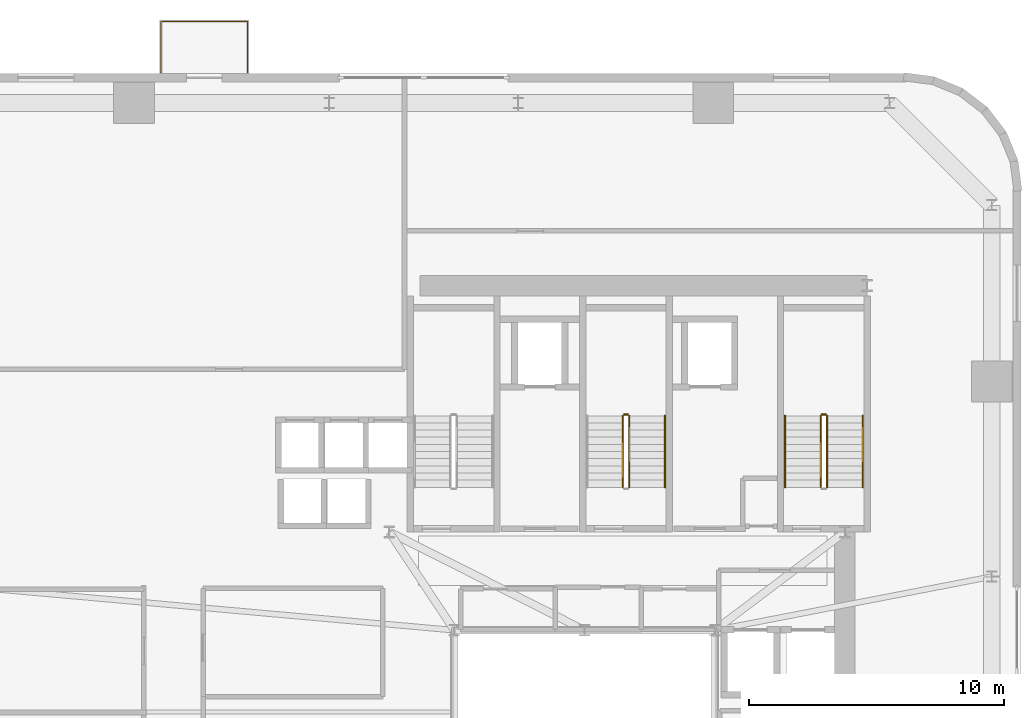
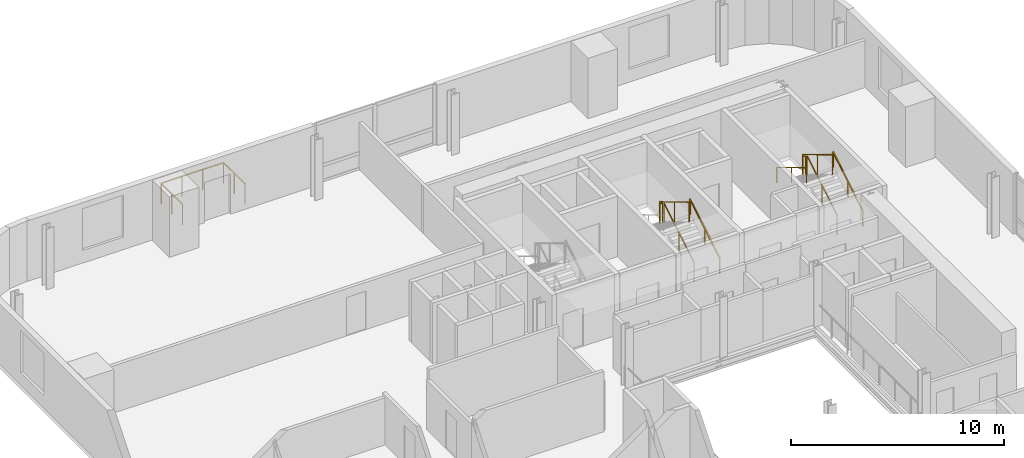
# One storey, part 13 of 13: 10 railings.
"""IFC4 building model written with IfcOpenShell, lengths in metres."""

from ifc_helpers import new_model, si_unit, direction, frame, origin, origin_2d, place, context, subcontext, project, spatial, rectangle, extrude, source, transform, mapped, material, type_object, element, save


model = new_model("IFC4")

# Units and contexts
model_context = context("Model", 3, precision=1e-05, world=origin(), true_north=direction((0.0, 1.0)))
body_context = subcontext(model_context, "Body", "Model", "MODEL_VIEW")
ifc_project = project(units=[si_unit("LENGTHUNIT", "METRE"), si_unit("AREAUNIT", "SQUARE_METRE"), si_unit("VOLUMEUNIT", "CUBIC_METRE"), si_unit("PLANEANGLEUNIT", "RADIAN"), si_unit("MASSUNIT", "GRAM", prefix="KILO")], contexts=[model_context])

# Site, building, storey
site_placement = place(None, origin())
site = spatial("IfcSite", under=ifc_project, at=site_placement, CompositionType="ELEMENT")
building_placement = place(site_placement, origin())
building = spatial("IfcBuilding", under=site, at=building_placement, Name="Vardaveli Station Tower", CompositionType="ELEMENT")
storey_placement = place(building_placement, frame((0.0, 0.0, 115.0)))
storey = spatial("IfcBuildingStorey", under=building, at=storey_placement, Name="L29", CompositionType="ELEMENT", Elevation=115.0)

# Railings
ifc_material_1 = material(Name="Laminated glass and stainless steel balustrade", Category="steel")
railing_type_1 = type_object("IfcRailingType", Name="RL-BAL-1200", PredefinedType="BALUSTRADE", material=ifc_material_1)
shared_shape_1 = source(origin(), body_context, "Body", "SweptSolid", [
    extrude(rectangle(XDim=0.048095703125, YDim=0.048095703125, at=origin_2d()), frame((0.0, 0.0, 1.17578125), z_axis=(0.0, 1.0, 0.0), x_axis=(-1.0, 0.0, 0.0)), (0.0, 0.0, 1.0), 2.0),
    extrude(rectangle(XDim=0.048095703125, YDim=0.048095703125, at=origin_2d()), frame((0.0, 2.0, 1.17578125), z_axis=(1.0, 0.0, 0.0), x_axis=(0.0, 1.0, 0.0)), (0.0, 0.0, 1.0), 3.3798828125),
    extrude(rectangle(XDim=0.048095703125, YDim=0.048095703125, at=origin_2d()), frame((3.3798828125, 2.0, 1.17578125), z_axis=(0.0, -1.0, 0.0), x_axis=(1.0, 0.0, 0.0)), (0.0, 0.0, 1.0), 2.0),
    extrude(rectangle(XDim=0.0419921875, YDim=0.0419921875, at=origin_2d()), origin(), (0.0, 0.0, 1.0), 1.15185546875),
    extrude(rectangle(XDim=0.0419921875, YDim=0.0419921875, at=origin_2d()), frame((0.0, 1.0, 0.0)), (0.0, 0.0, 1.0), 1.15185546875),
    extrude(rectangle(XDim=0.0419921875, YDim=0.0419921875, at=origin_2d()), frame((0.0, 2.0, 0.0)), (0.0, 0.0, 1.0), 1.15185546875),
    extrude(rectangle(XDim=0.0419921875, YDim=0.0419921875, at=origin_2d()), frame((1.126708984375, 2.0, 0.0)), (0.0, 0.0, 1.0), 1.15185546875),
    extrude(rectangle(XDim=0.0419921875, YDim=0.0419921875, at=origin_2d()), frame((2.253173828125, 2.0, 0.0)), (0.0, 0.0, 1.0), 1.15185546875),
    extrude(rectangle(XDim=0.0419921875, YDim=0.0419921875, at=origin_2d()), frame((3.3798828125, 2.0, 0.0)), (0.0, 0.0, 1.0), 1.15185546875),
    extrude(rectangle(XDim=0.0419921875, YDim=0.0419921875, at=origin_2d()), frame((3.3798828125, 1.0, 0.0)), (0.0, 0.0, 1.0), 1.15185546875),
    extrude(rectangle(XDim=0.0419921875, YDim=0.0419921875, at=origin_2d()), frame((3.3798828125, 0.0, 0.0)), (0.0, 0.0, 1.0), 1.15185546875),
])
railing_1_placement = place(storey_placement, frame((19.720458984375, 48.639892578125, 0.0)))
element("IfcRailing", 1, at=railing_1_placement, inside=storey, type_object=railing_type_1, Name="RL-LOG-L29-02", PredefinedType="BALUSTRADE", context=body_context, shape_type="MappedRepresentation", body=[
    mapped(shared_shape_1, transform((0.0, 0.0, 0.0), scale=1.0)),
])
ifc_material_2 = material(Name="Brushed AISI 316 stainless steel", Category="steel")
railing_type_2 = type_object("IfcRailingType", Name="RL-GUARD-1150", PredefinedType="GUARDRAIL", material=ifc_material_2)
shared_shape_2 = source(origin(), body_context, "Body", "SweptSolid", [
    extrude(rectangle(XDim=0.048095703125, YDim=0.048095703125, at=origin_2d()), frame((0.0, 0.0, 1.1259765625), z_axis=(-1.0, 0.0, 0.0), x_axis=(0.0, -1.0, 0.0)), (0.0, 0.0, 1.0), 0.14990234375),
    extrude(rectangle(XDim=0.0419921875, YDim=0.0419921875, at=origin_2d()), origin(), (0.0, 0.0, 1.0), 1.101806640625),
    extrude(rectangle(XDim=0.0419921875, YDim=0.0419921875, at=origin_2d()), frame((-0.14990234375, 0.0, 0.0)), (0.0, 0.0, 1.0), 1.101806640625),
])
for number, where, name in (
    (2, (38.0, 35.25, 1.85009765625), "L29 ST-2 stair guard 2"),
    (3, (45.75, 35.25, 1.85009765625), "L29 ST-3 stair guard 2"),
):
    element("IfcRailing", number, at=place(storey_placement, frame(where)), inside=storey, type_object=railing_type_2, Name=name, PredefinedType="GUARDRAIL", context=body_context, shape_type="MappedRepresentation", body=[
        mapped(shared_shape_2, transform((0.0, 0.0, 0.0), scale=1.0)),
    ])
shared_shape_3 = source(origin(), body_context, "Body", "SweptSolid", [
    extrude(rectangle(XDim=0.048095703125, YDim=0.048095703125, at=origin_2d()), frame((0.0, 0.0, 1.1259765625), z_axis=(0.0, -0.857242210791, 0.514913383045), x_axis=(1.0, 0.0, 0.0)), (0.0, 0.0, 1.0), 3.266357421875),
    extrude(rectangle(XDim=0.0419921875, YDim=0.0419921875, at=origin_2d()), origin(), (0.0, 0.0, 1.0), 1.101806640625),
    extrude(rectangle(XDim=0.0419921875, YDim=0.0419921875, at=origin_2d()), frame((0.0, -1.39990234375, 0.8408203125)), (0.0, 0.0, 1.0), 1.101806640625),
    extrude(rectangle(XDim=0.0419921875, YDim=0.0419921875, at=origin_2d()), frame((0.0, -2.800048828125, 1.681884765625)), (0.0, 0.0, 1.0), 1.101806640625),
])
for number, where, name in (
    (4, (37.800048828125, 35.199951171875, 2.01806640625), "L29 ST-2 stair guard 3"),
    (5, (45.550048828125, 35.199951171875, 2.01806640625), "L29 ST-3 stair guard 3"),
):
    element("IfcRailing", number, at=place(storey_placement, frame(where)), inside=storey, type_object=railing_type_2, Name=name, PredefinedType="GUARDRAIL", context=body_context, shape_type="MappedRepresentation", body=[
        mapped(shared_shape_3, transform((0.0, 0.0, 0.0), scale=1.0)),
    ])
railing_type_3 = type_object("IfcRailingType", Name="RL-HAND-900", PredefinedType="HANDRAIL", material=ifc_material_2)
shared_shape_4 = source(origin(), body_context, "Body", "SweptSolid", [
    extrude(rectangle(XDim=0.048095703125, YDim=0.048095703125, at=origin_2d()), frame((0.0, 0.0, 0.8759765625), z_axis=(0.0, -0.857242210791, 0.514913383045), x_axis=(1.0, 0.0, 0.0)), (0.0, 0.0, 1.0), 3.266357421875),
    extrude(rectangle(XDim=0.0419921875, YDim=0.0419921875, at=origin_2d()), origin(), (0.0, 0.0, 1.0), 0.851806640625),
    extrude(rectangle(XDim=0.0419921875, YDim=0.0419921875, at=origin_2d()), frame((0.0, -1.39990234375, 0.8408203125)), (0.0, 0.0, 1.0), 0.851806640625),
    extrude(rectangle(XDim=0.0419921875, YDim=0.0419921875, at=origin_2d()), frame((0.0, -2.800048828125, 1.681884765625)), (0.0, 0.0, 1.0), 0.851806640625),
])
railing_2_placement = place(storey_placement, frame((44.14990234375, 35.199951171875, 2.01806640625)))
element("IfcRailing", 6, at=railing_2_placement, inside=storey, type_object=railing_type_3, Name="L29 ST-3 stair handrail 2", PredefinedType="HANDRAIL", context=body_context, shape_type="MappedRepresentation", body=[
    mapped(shared_shape_4, transform((0.0, 0.0, 0.0), scale=1.0)),
])
shared_shape_5 = source(origin(), body_context, "Body", "SweptSolid", [
    extrude(rectangle(XDim=0.048095703125, YDim=0.048095703125, at=origin_2d()), frame((0.0, 0.0, 1.1259765625), z_axis=(0.0, 0.857242210791, 0.514913383045), x_axis=(-1.0, 0.0, 0.0)), (0.0, 0.0, 1.0), 3.266357421875),
    extrude(rectangle(XDim=0.0419921875, YDim=0.0419921875, at=origin_2d()), origin(), (0.0, 0.0, 1.0), 1.101806640625),
    extrude(rectangle(XDim=0.0419921875, YDim=0.0419921875, at=origin_2d()), frame((0.0, 1.39990234375, 0.8408203125)), (0.0, 0.0, 1.0), 1.101806640625),
    extrude(rectangle(XDim=0.0419921875, YDim=0.0419921875, at=origin_2d()), frame((0.0, 2.800048828125, 1.681884765625)), (0.0, 0.0, 1.0), 1.101806640625),
])
for number, where, name in (
    (7, (38.050048828125, 32.39990234375, 0.168212890625), "L29 ST-2 stair guard 1"),
    (8, (45.800048828125, 32.39990234375, 0.168212890625), "L29 ST-3 stair guard 1"),
):
    element("IfcRailing", number, at=place(storey_placement, frame(where)), inside=storey, type_object=railing_type_2, Name=name, PredefinedType="GUARDRAIL", context=body_context, shape_type="MappedRepresentation", body=[
        mapped(shared_shape_5, transform((0.0, 0.0, 0.0), scale=1.0)),
    ])
shared_shape_6 = source(origin(), body_context, "Body", "SweptSolid", [
    extrude(rectangle(XDim=0.048095703125, YDim=0.048095703125, at=origin_2d()), frame((0.0, 0.0, 0.8759765625), z_axis=(0.0, 0.857242210791, 0.514913383045), x_axis=(-1.0, 0.0, 0.0)), (0.0, 0.0, 1.0), 3.266357421875),
    extrude(rectangle(XDim=0.0419921875, YDim=0.0419921875, at=origin_2d()), origin(), (0.0, 0.0, 1.0), 0.851806640625),
    extrude(rectangle(XDim=0.0419921875, YDim=0.0419921875, at=origin_2d()), frame((0.0, 1.39990234375, 0.8408203125)), (0.0, 0.0, 1.0), 0.851806640625),
    extrude(rectangle(XDim=0.0419921875, YDim=0.0419921875, at=origin_2d()), frame((0.0, 2.800048828125, 1.681884765625)), (0.0, 0.0, 1.0), 0.851806640625),
])
for number, where, name in (
    (9, (39.449951171875, 32.39990234375, 0.168212890625), "L29 ST-2 stair handrail 1"),
    (10, (47.199951171875, 32.39990234375, 0.168212890625), "L29 ST-3 stair handrail 1"),
):
    element("IfcRailing", number, at=place(storey_placement, frame(where)), inside=storey, type_object=railing_type_3, Name=name, PredefinedType="HANDRAIL", context=body_context, shape_type="MappedRepresentation", body=[
        mapped(shared_shape_6, transform((0.0, 0.0, 0.0), scale=1.0)),
    ])

save(model, "model.ifc")
